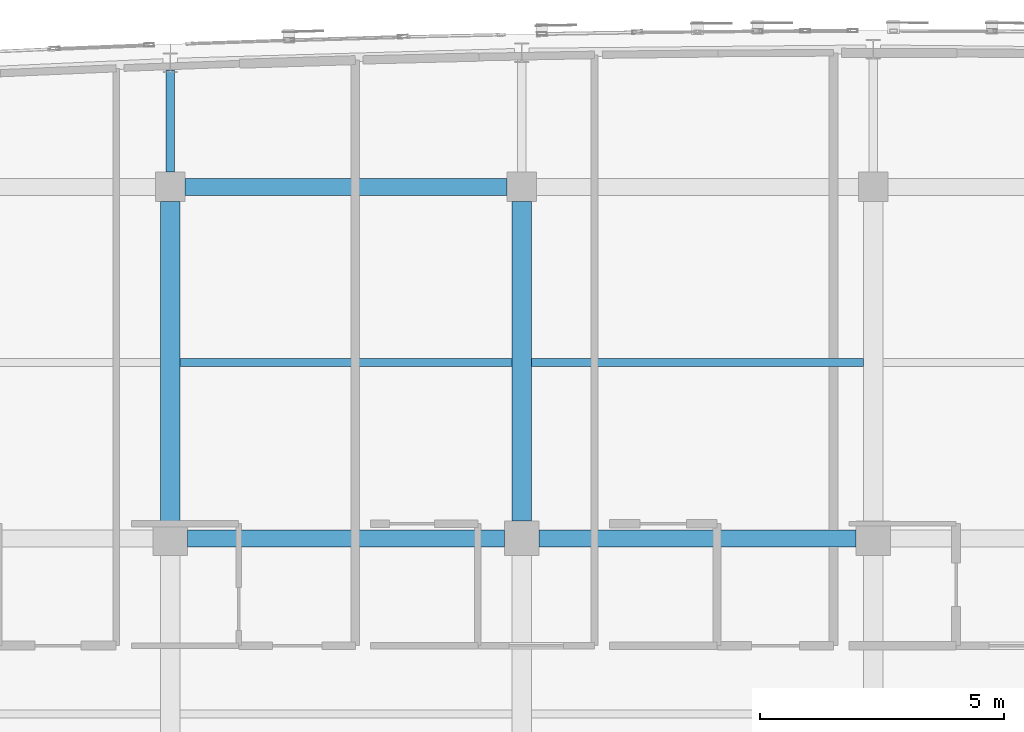
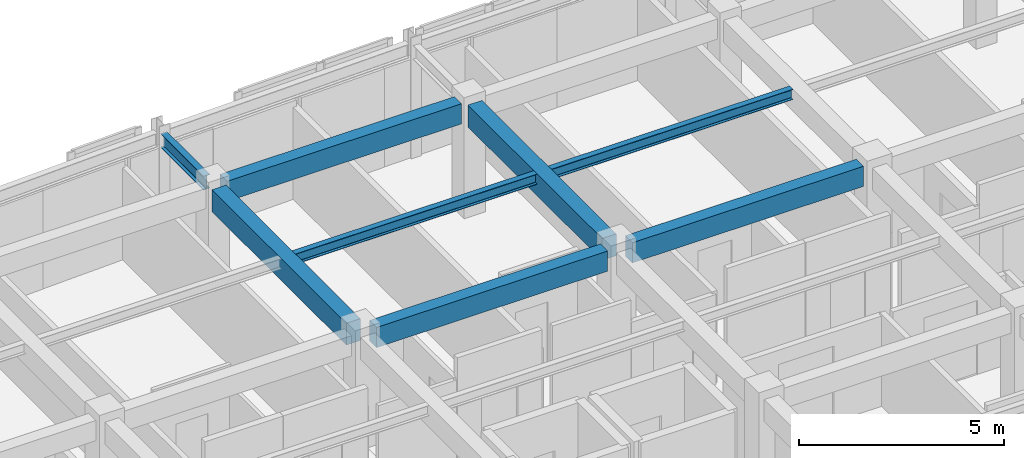
# One storey, part 18 of 73: 8 beams.
"""IFC4 building model written with IfcOpenShell, lengths in metres."""

from ifc_helpers import new_model, si_unit, direction, frame, origin, origin_2d, place, context, subcontext, project, spatial, rectangle, i_section, extrude, material, material_profile, profile_set, type_object, element, save


model = new_model("IFC4")

# Units and contexts
model_context = context("Model", 3, precision=1e-05, world=origin(), true_north=direction((0.0, 1.0)))
body_context = subcontext(model_context, "Body", "Model", "MODEL_VIEW")
ifc_project = project(units=[si_unit("LENGTHUNIT", "METRE"), si_unit("AREAUNIT", "SQUARE_METRE"), si_unit("VOLUMEUNIT", "CUBIC_METRE"), si_unit("PLANEANGLEUNIT", "RADIAN"), si_unit("MASSUNIT", "GRAM", prefix="KILO")], contexts=[model_context])

# Site, building, storey
site_placement = place(None, origin())
site = spatial("IfcSite", under=ifc_project, at=site_placement, CompositionType="ELEMENT")
building_placement = place(site_placement, origin())
building = spatial("IfcBuilding", under=site, at=building_placement, Name="Carrowvane Square Congress Hotel", CompositionType="ELEMENT")
storey_placement = place(building_placement, frame((0.0, 0.0, 19.199951171875)))
storey = spatial("IfcBuildingStorey", under=building, at=storey_placement, Name="L04", CompositionType="ELEMENT", Elevation=19.199951171875)

# Beams
ifc_material_1 = material(Name="Concrete C35/45", Category="concrete")
ifc_material_profile_1 = material_profile(ifc_material_1, rectangle(XDim=0.35009765625, YDim=0.60009765625, at=origin_2d()), Name="RC 350x600")
ifc_profile_set_1 = profile_set([ifc_material_profile_1], Name="Concrete C35/45")
beam_type_1 = type_object("IfcBeamType", Name="BM-RC-350x600", PredefinedType="BEAM", material=ifc_profile_set_1)
for number, where, z_axis, x_axis, name in (
    (1, (83.949951171875, 106.199951171875, 3.050048828125), (1.0, 0.0, 0.0), (0.0, 1.0, 0.0), "L05 girder Q/11-12"),
    (2, (91.14990234375, 106.199951171875, 3.050048828125), (1.0, 0.0, 0.0), (0.0, 1.0, 0.0), "L05 girder Q/12-13"),
):
    element("IfcBeam", number, at=place(storey_placement, frame(where, z_axis=z_axis, x_axis=x_axis)), inside=storey, type_object=beam_type_1, Name=name, PredefinedType="BEAM", context=body_context, shape_type="SweptSolid", body=[
        extrude(rectangle(XDim=0.35009765625, YDim=0.60009765625, at=origin_2d()), origin(), (0.0, 0.0, 1.0), 6.5),
    ])
beam_1_placement = place(storey_placement, frame((83.89990234375, 113.39990234375, 3.050048828125), z_axis=(1.0, 0.0, 0.0), x_axis=(0.0, 1.0, 0.0)))
element("IfcBeam", 3, at=beam_1_placement, inside=storey, type_object=beam_type_1, Name="L05 girder R/11-12", PredefinedType="BEAM", context=body_context, shape_type="SweptSolid", body=[
    extrude(rectangle(XDim=0.35009765625, YDim=0.60009765625, at=origin_2d()), origin(), (0.0, 0.0, 1.0), 6.60009765625),
])
ifc_material_2 = material(Name="Concrete C35/45", Category="concrete")
ifc_material_profile_2 = material_profile(ifc_material_2, rectangle(XDim=0.39990234375, YDim=0.64990234375, at=origin_2d()), Name="RC 400x650")
ifc_profile_set_2 = profile_set([ifc_material_profile_2], Name="Concrete C35/45")
beam_type_2 = type_object("IfcBeamType", Name="BM-RC-400x650", PredefinedType="BEAM", material=ifc_profile_set_2)
for number, where, z_axis, x_axis, name in (
    (4, (83.60009765625, 106.550048828125, 3.025146484375), (0.0, 1.0, 0.0), (-1.0, 0.0, 0.0), "L05 girder 11/Q-R"),
    (5, (90.800048828125, 106.550048828125, 3.025146484375), (0.0, 1.0, 0.0), (-1.0, 0.0, 0.0), "L05 girder 12/Q-R"),
):
    element("IfcBeam", number, at=place(storey_placement, frame(where, z_axis=z_axis, x_axis=x_axis)), inside=storey, type_object=beam_type_2, Name=name, PredefinedType="BEAM", context=body_context, shape_type="SweptSolid", body=[
        extrude(rectangle(XDim=0.39990234375, YDim=0.64990234375, at=origin_2d()), origin(), (0.0, 0.0, 1.0), 6.550048828125),
    ])
ifc_material_3 = material(Name="Steel S355", Category="steel")
ifc_material_profile_3 = material_profile(ifc_material_3, i_section(OverallWidth=0.165771484375, OverallDepth=0.306640625, WebThickness=0.006591796875, FlangeThickness=0.01171875, FilletRadius=0.0087890625, at=origin_2d()), Name="UKB 305x165x46")
ifc_profile_set_3 = profile_set([ifc_material_profile_3], Name="Steel S355")
beam_type_3 = type_object("IfcBeamType", Name="BM-ST-UKB305", PredefinedType="JOIST", material=ifc_profile_set_3)
for number, where, z_axis, x_axis, name in (
    (6, (83.800048828125, 109.800048828125, 3.19677734375), (1.0, 0.0, 0.0), (0.0, 1.0, 0.0), "L05 secondary joist 11-12"),
    (7, (91.0, 109.800048828125, 3.19677734375), (1.0, 0.0, 0.0), (0.0, 1.0, 0.0), "L05 secondary joist 12-13"),
):
    element("IfcBeam", number, at=place(storey_placement, frame(where, z_axis=z_axis, x_axis=x_axis)), inside=storey, type_object=beam_type_3, Name=name, PredefinedType="JOIST", context=body_context, shape_type="SweptSolid", body=[
        extrude(i_section(OverallWidth=0.165771484375, OverallDepth=0.306640625, WebThickness=0.006591796875, FlangeThickness=0.01171875, FilletRadius=0.0087890625, at=origin_2d()), origin(), (0.0, 0.0, 1.0), 6.800048828125),
    ])
ifc_material_4 = material(Name="Steel S355", Category="steel")
ifc_material_profile_4 = material_profile(ifc_material_4, i_section(OverallWidth=0.1787109375, OverallDepth=0.409423828125, WebThickness=0.0087890625, FlangeThickness=0.014404296875, FilletRadius=0.01025390625, at=origin_2d()), Name="UKB 406x178x67")
ifc_profile_set_4 = profile_set([ifc_material_profile_4], Name="Steel S355")
beam_type_4 = type_object("IfcBeamType", Name="BM-ST-UKB406", PredefinedType="BEAM", material=ifc_profile_set_4)
beam_2_placement = place(storey_placement, frame((83.60009765625, 113.699951171875, 3.145263671875), z_axis=(0.0, 1.0, 0.0), x_axis=(-1.0, 0.0, 0.0)))
element("IfcBeam", 8, at=beam_2_placement, inside=storey, type_object=beam_type_4, Name="L05 radial north beam 11", PredefinedType="BEAM", context=body_context, shape_type="SweptSolid", body=[
    extrude(i_section(OverallWidth=0.1787109375, OverallDepth=0.409423828125, WebThickness=0.0087890625, FlangeThickness=0.014404296875, FilletRadius=0.01025390625, at=origin_2d()), origin(), (0.0, 0.0, 1.0), 2.093994140625),
])

save(model, "model.ifc")
